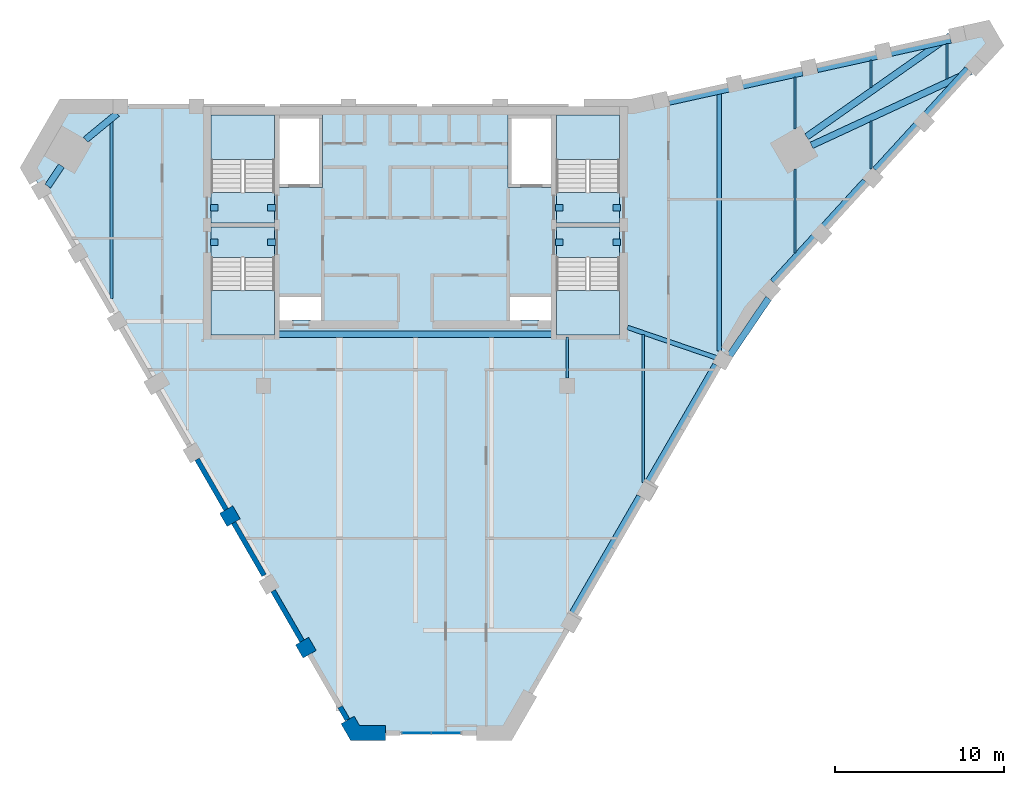
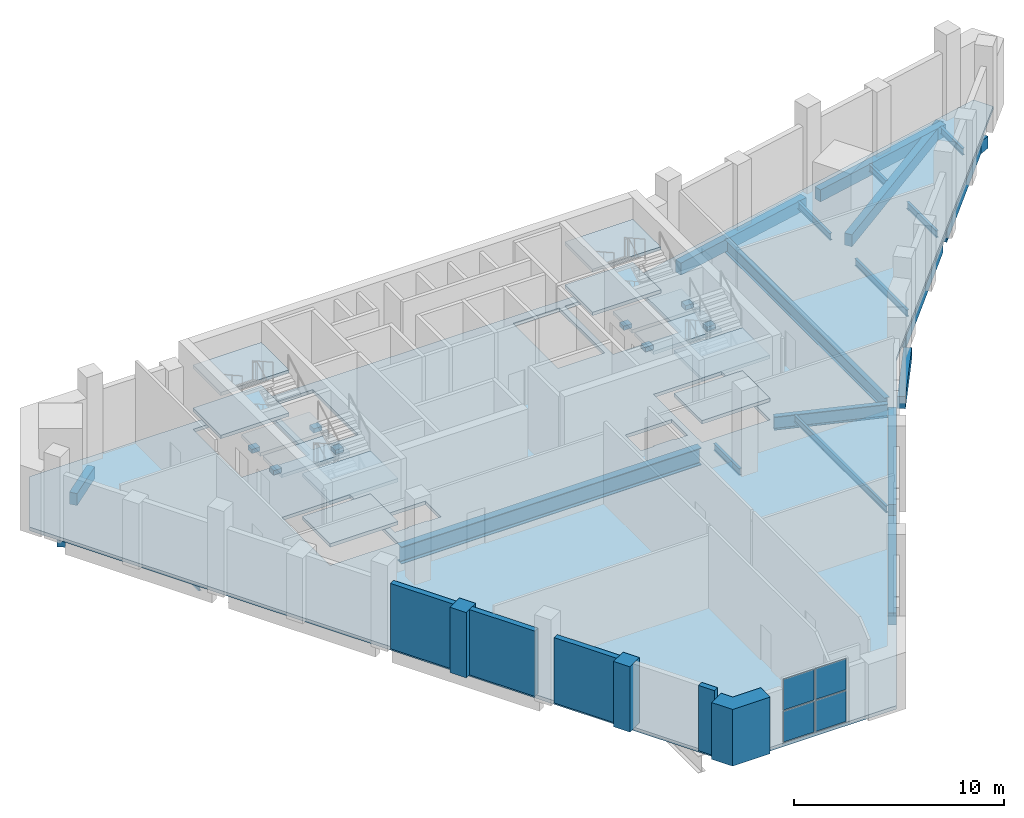
# One storey, part 3 of 9: 30 beams, 13 slabs, 7 walls, 4 plates, 5 elements without a shape of their own.
"""IFC4 building model written with IfcOpenShell, lengths in metres."""

from ifc_helpers import new_model, si_unit, direction, frame, frame_2d, origin, origin_2d, place, context, subcontext, project, spatial, polyline, rectangle, i_section, outline, extrude, material, layer, layer_set, material_profile, profile_set, type_object, element, aggregate, save


model = new_model("IFC4")

# Units and contexts
model_context = context("Model", 3, precision=1e-05, world=origin(), true_north=direction((0.0, 1.0)))
body_context = subcontext(model_context, "Body", "Model", "MODEL_VIEW")
ifc_project = project(units=[si_unit("LENGTHUNIT", "METRE"), si_unit("AREAUNIT", "SQUARE_METRE"), si_unit("VOLUMEUNIT", "CUBIC_METRE"), si_unit("PLANEANGLEUNIT", "RADIAN"), si_unit("MASSUNIT", "GRAM", prefix="KILO")], contexts=[model_context])

# Site, building, storey
site_placement = place(None, origin())
site = spatial("IfcSite", under=ifc_project, at=site_placement, CompositionType="ELEMENT")
building_placement = place(site_placement, origin())
building = spatial("IfcBuilding", under=site, at=building_placement, Name="Calabash Gate Tower", CompositionType="ELEMENT")
storey_placement = place(building_placement, frame((0.0, 0.0, 315.5)))
storey = spatial("IfcBuildingStorey", under=building, at=storey_placement, Name="L74", CompositionType="ELEMENT", Elevation=315.5)

# Beams
ifc_material_1 = material(Name="Concrete C50/60", Category="concrete")
ifc_material_profile_1 = material_profile(ifc_material_1, rectangle(XDim=0.39990234375, YDim=0.699951171875, at=origin_2d()))
ifc_profile_set_1 = profile_set([ifc_material_profile_1], Name="Concrete C50/60")
beam_type_1 = type_object("IfcBeamType", Name="Edge beam RC 400x700 Concrete C50/60", PredefinedType="BEAM", material=ifc_profile_set_1)
beam_1_placement = place(storey_placement, frame((9.260009765625, -11.069091796875, -0.550048828125), z_axis=(0.499986829629, 0.866033007568, 0.0), x_axis=(-0.866033007568, 0.499986829629, 0.0)))
element("IfcBeam", 1, at=beam_1_placement, inside=storey, type_object=beam_type_1, Name="Edge beam L74 2", PredefinedType="BEAM", context=body_context, shape_type="SweptSolid", body=[
    extrude(rectangle(XDim=0.39990234375, YDim=0.699951171875, at=origin_2d()), origin(), (0.0, 0.0, 1.0), 8.100341796875),
])
beam_2_placement = place(storey_placement, frame((13.760009765625, -3.27294921875, -0.550048828125), z_axis=(0.500104308266, 0.865965173003, 0.0), x_axis=(-0.865965173003, 0.500104308266, 0.0)))
element("IfcBeam", 2, at=beam_2_placement, inside=storey, type_object=beam_type_1, Name="Edge beam L74 3", PredefinedType="BEAM", context=body_context, shape_type="SweptSolid", body=[
    extrude(rectangle(XDim=0.39990234375, YDim=0.699951171875, at=origin_2d()), origin(), (0.0, 0.0, 1.0), 8.098388671875),
])
beam_3_placement = place(storey_placement, frame((18.623046875, 4.283935546875, -0.550048828125), z_axis=(0.561853107026, 0.827237019315, 0.0), x_axis=(-0.827237019315, 0.561853107026, 0.0)))
element("IfcBeam", 3, at=beam_3_placement, inside=storey, type_object=beam_type_1, Name="Edge beam L74 4", PredefinedType="BEAM", context=body_context, shape_type="SweptSolid", body=[
    extrude(rectangle(XDim=0.39990234375, YDim=0.699951171875, at=origin_2d()), origin(), (0.0, 0.0, 1.0), 4.107666015625),
])
beam_4_placement = place(storey_placement, frame((21.18701171875, 8.652099609375, -0.550048828125), z_axis=(0.674873802315, 0.737933161573, 0.0), x_axis=(-0.737933161573, 0.674873802315, 0.0)))
element("IfcBeam", 4, at=beam_4_placement, inside=storey, type_object=beam_type_1, Name="Edge beam L74 5", PredefinedType="BEAM", context=body_context, shape_type="SweptSolid", body=[
    extrude(rectangle(XDim=0.39990234375, YDim=0.699951171875, at=origin_2d()), origin(), (0.0, 0.0, 1.0), 8.099365234375),
])
beam_5_placement = place(storey_placement, frame((27.260009765625, 15.29296875, -0.550048828125), z_axis=(0.67486440312, 0.737941757459, 0.0), x_axis=(-0.737941757459, 0.67486440312, 0.0)))
element("IfcBeam", 5, at=beam_5_placement, inside=storey, type_object=beam_type_1, Name="Edge beam L74 6", PredefinedType="BEAM", context=body_context, shape_type="SweptSolid", body=[
    extrude(rectangle(XDim=0.39990234375, YDim=0.699951171875, at=origin_2d()), origin(), (0.0, 0.0, 1.0), 8.100830078125),
])
beam_6_placement = place(storey_placement, frame((32.924072265625, 21.1298828125, -0.550048828125), z_axis=(-0.907165927894, -0.420773073364, 0.0), x_axis=(0.420773073364, -0.907165927894, 0.0)))
element("IfcBeam", 6, at=beam_6_placement, inside=storey, type_object=beam_type_1, Name="Edge beam L74 7", PredefinedType="BEAM", context=body_context, shape_type="SweptSolid", body=[
    extrude(rectangle(XDim=0.39990234375, YDim=0.699951171875, at=origin_2d()), origin(), (0.0, 0.0, 1.0), 10.413818359375),
])
beam_7_placement = place(storey_placement, frame((23.18310546875, 17.25390625, -0.550048828125), z_axis=(0.817868224599, 0.575405567571, 0.0), x_axis=(-0.575405567571, 0.817868224599, 0.0)))
element("IfcBeam", 7, at=beam_7_placement, inside=storey, type_object=beam_type_1, Name="Edge beam L74 8", PredefinedType="BEAM", context=body_context, shape_type="SweptSolid", body=[
    extrude(rectangle(XDim=0.39990234375, YDim=0.699951171875, at=origin_2d()), origin(), (0.0, 0.0, 1.0), 10.396484375),
])
beam_8_placement = place(storey_placement, frame((31.72705078125, 23.006103515625, -0.550048828125), z_axis=(-0.976492437334, -0.215551663945, 0.0), x_axis=(0.215551663945, -0.976492437334, 0.0)))
element("IfcBeam", 8, at=beam_8_placement, inside=storey, type_object=beam_type_1, Name="Edge beam L74 9", PredefinedType="BEAM", context=body_context, shape_type="SweptSolid", body=[
    extrude(rectangle(XDim=0.39990234375, YDim=0.699951171875, at=origin_2d()), origin(), (0.0, 0.0, 1.0), 8.1005859375),
])
beam_9_placement = place(storey_placement, frame((22.93603515625, 21.06591796875, -0.550048828125), z_axis=(-0.976517152373, -0.215439669332, 0.0), x_axis=(0.215439669332, -0.976517152373, 0.0)))
element("IfcBeam", 9, at=beam_9_placement, inside=storey, type_object=beam_type_1, Name="Edge beam L74 10", PredefinedType="BEAM", context=body_context, shape_type="SweptSolid", body=[
    extrude(rectangle(XDim=0.39990234375, YDim=0.699951171875, at=origin_2d()), origin(), (0.0, 0.0, 1.0), 8.09912109375),
])
beam_10_placement = place(storey_placement, frame((-17.673095703125, 18.623046875, -0.550048828125), z_axis=(-0.77193605732, -0.635700183585, 0.0), x_axis=(0.635700183585, -0.77193605732, 0.0)))
element("IfcBeam", 10, at=beam_10_placement, inside=storey, type_object=beam_type_1, Name="Edge beam L74 11", PredefinedType="BEAM", context=body_context, shape_type="SweptSolid", body=[
    extrude(rectangle(XDim=0.39990234375, YDim=0.699951171875, at=origin_2d()), origin(), (0.0, 0.0, 1.0), 2.421142578125),
])
beam_11_placement = place(storey_placement, frame((-20.97412109375, 15.535888671875, -0.550048828125), z_axis=(-0.556208441461, -0.831042820586, 0.0), x_axis=(0.831042820586, -0.556208441461, 0.0)))
element("IfcBeam", 11, at=beam_11_placement, inside=storey, type_object=beam_type_1, Name="Edge beam L74 12", PredefinedType="BEAM", context=body_context, shape_type="SweptSolid", body=[
    extrude(rectangle(XDim=0.39990234375, YDim=0.699951171875, at=origin_2d()), origin(), (0.0, 0.0, 1.0), 1.4560546875),
])
ifc_material_2 = material(Name="Steel ASTM A992 Gr50", Category="steel")
ifc_material_profile_2 = material_profile(ifc_material_2, i_section(OverallWidth=0.1396484375, OverallDepth=0.398681640625, WebThickness=0.00634765625, FlangeThickness=0.0087890625, FilletRadius=0.01025390625, at=origin_2d()))
ifc_profile_set_2 = profile_set([ifc_material_profile_2], Name="Steel ASTM A992 Gr50")
beam_type_2 = type_object("IfcBeamType", Name="Floor beam W16x26 ASTM A992 Gr50", PredefinedType="BEAM", material=ifc_profile_set_2)
beam_12_placement = place(storey_placement, frame((9.0, 2.949951171875, -0.39892578125), z_axis=(0.0, 1.0, 0.0), x_axis=(-1.0, 0.0, 0.0)))
element("IfcBeam", 12, at=beam_12_placement, inside=storey, type_object=beam_type_2, Name="Floor beam L74 9", PredefinedType="BEAM", context=body_context, shape_type="SweptSolid", body=[
    extrude(i_section(OverallWidth=0.1396484375, OverallDepth=0.398681640625, WebThickness=0.00634765625, FlangeThickness=0.0087890625, FilletRadius=0.01025390625, at=origin_2d()), origin(), (0.0, 0.0, 1.0), 2.453125),
])
beam_13_placement = place(storey_placement, frame((13.5, -3.237060546875, -0.39892578125), z_axis=(0.0, 1.0, 0.0), x_axis=(-1.0, 0.0, 0.0)))
element("IfcBeam", 13, at=beam_13_placement, inside=storey, type_object=beam_type_2, Name="Floor beam L74 10", PredefinedType="BEAM", context=body_context, shape_type="SweptSolid", body=[
    extrude(i_section(OverallWidth=0.1396484375, OverallDepth=0.398681640625, WebThickness=0.00634765625, FlangeThickness=0.0087890625, FilletRadius=0.01025390625, at=origin_2d()), origin(), (0.0, 0.0, 1.0), 8.76806640625),
])
beam_14_placement = place(storey_placement, frame((22.5, 10.3720703125, -0.39892578125), z_axis=(0.0, 1.0, 0.0), x_axis=(-1.0, 0.0, 0.0)))
element("IfcBeam", 14, at=beam_14_placement, inside=storey, type_object=beam_type_2, Name="Floor beam L74 12", PredefinedType="BEAM", context=body_context, shape_type="SweptSolid", body=[
    extrude(i_section(OverallWidth=0.1396484375, OverallDepth=0.398681640625, WebThickness=0.00634765625, FlangeThickness=0.0087890625, FilletRadius=0.01025390625, at=origin_2d()), origin(), (0.0, 0.0, 1.0), 4.969970703125),
])
beam_15_placement = place(storey_placement, frame((22.5, 17.702880859375, -0.39892578125), z_axis=(0.0, 1.0, 0.0), x_axis=(-1.0, 0.0, 0.0)))
element("IfcBeam", 15, at=beam_15_placement, inside=storey, type_object=beam_type_2, Name="Floor beam L74 13", PredefinedType="BEAM", context=body_context, shape_type="SweptSolid", body=[
    extrude(i_section(OverallWidth=0.1396484375, OverallDepth=0.398681640625, WebThickness=0.00634765625, FlangeThickness=0.0087890625, FilletRadius=0.01025390625, at=origin_2d()), origin(), (0.0, 0.0, 1.0), 3.09423828125),
])
beam_16_placement = place(storey_placement, frame((27.0, 15.35693359375, -0.39892578125), z_axis=(0.0, 1.0, 0.0), x_axis=(-1.0, 0.0, 0.0)))
element("IfcBeam", 16, at=beam_16_placement, inside=storey, type_object=beam_type_2, Name="Floor beam L74 14", PredefinedType="BEAM", context=body_context, shape_type="SweptSolid", body=[
    extrude(i_section(OverallWidth=0.1396484375, OverallDepth=0.398681640625, WebThickness=0.00634765625, FlangeThickness=0.0087890625, FilletRadius=0.01025390625, at=origin_2d()), origin(), (0.0, 0.0, 1.0), 2.8271484375),
])
beam_17_placement = place(storey_placement, frame((27.0, 20.172119140625, -0.39892578125), z_axis=(0.0, 1.0, 0.0), x_axis=(-1.0, 0.0, 0.0)))
element("IfcBeam", 17, at=beam_17_placement, inside=storey, type_object=beam_type_2, Name="Floor beam L74 15", PredefinedType="BEAM", context=body_context, shape_type="SweptSolid", body=[
    extrude(i_section(OverallWidth=0.1396484375, OverallDepth=0.398681640625, WebThickness=0.00634765625, FlangeThickness=0.0087890625, FilletRadius=0.01025390625, at=origin_2d()), origin(), (0.0, 0.0, 1.0), 1.617919921875),
])
beam_18_placement = place(storey_placement, frame((31.5, 20.66796875, -0.39892578125), z_axis=(0.0, 1.0, 0.0), x_axis=(-1.0, 0.0, 0.0)))
element("IfcBeam", 18, at=beam_18_placement, inside=storey, type_object=beam_type_2, Name="Floor beam L74 16", PredefinedType="BEAM", context=body_context, shape_type="SweptSolid", body=[
    extrude(i_section(OverallWidth=0.1396484375, OverallDepth=0.398681640625, WebThickness=0.00634765625, FlangeThickness=0.0087890625, FilletRadius=0.01025390625, at=origin_2d()), origin(), (0.0, 0.0, 1.0), 2.114990234375),
])
ifc_material_3 = material(Name="Steel ASTM A992 Gr50", Category="steel")
ifc_material_profile_3 = material_profile(ifc_material_3, i_section(OverallWidth=0.166015625, OverallDepth=0.5283203125, WebThickness=0.009765625, FlangeThickness=0.013671875, FilletRadius=0.0126953125, at=origin_2d()))
ifc_profile_set_3 = profile_set([ifc_material_profile_3], Name="Steel ASTM A992 Gr50")
beam_type_3 = type_object("IfcBeamType", Name="Floor beam W21x50 ASTM A992 Gr50", PredefinedType="BEAM", material=ifc_profile_set_3)
beam_19_placement = place(storey_placement, frame((-18.0, 7.679931640625, -0.464111328125), z_axis=(0.0, 1.0, 0.0), x_axis=(-1.0, 0.0, 0.0)))
element("IfcBeam", 19, at=beam_19_placement, inside=storey, type_object=beam_type_3, Name="Floor beam L74 1", PredefinedType="BEAM", context=body_context, shape_type="SweptSolid", body=[
    extrude(i_section(OverallWidth=0.166015625, OverallDepth=0.5283203125, WebThickness=0.009765625, FlangeThickness=0.013671875, FilletRadius=0.0126953125, at=origin_2d()), origin(), (0.0, 0.0, 1.0), 10.43701171875),
])
ifc_material_4 = material(Name="Steel ASTM A992 Gr50", Category="steel")
ifc_material_profile_4 = material_profile(ifc_material_4, i_section(OverallWidth=0.2666015625, OverallDepth=0.7568359375, WebThickness=0.013916015625, FlangeThickness=0.019287109375, FilletRadius=0.0166015625, at=origin_2d()))
ifc_profile_set_4 = profile_set([ifc_material_profile_4], Name="Steel ASTM A992 Gr50")
beam_type_4 = type_object("IfcBeamType", Name="Floor beam W30x108 ASTM A992 Gr50", PredefinedType="BEAM", material=ifc_profile_set_4)
beam_20_placement = place(storey_placement, frame((18.0, 4.547119140625, -0.577880859375), z_axis=(0.0, 1.0, 0.0), x_axis=(-1.0, 0.0, 0.0)))
element("IfcBeam", 20, at=beam_20_placement, inside=storey, type_object=beam_type_4, Name="Floor beam L74 11", PredefinedType="BEAM", context=body_context, shape_type="SweptSolid", body=[
    extrude(i_section(OverallWidth=0.2666015625, OverallDepth=0.7568359375, WebThickness=0.013916015625, FlangeThickness=0.019287109375, FilletRadius=0.0166015625, at=origin_2d()), origin(), (0.0, 0.0, 1.0), 15.2568359375),
])
ifc_material_5 = material(Name="Steel ASTM A992 Gr50", Category="steel")
ifc_material_profile_5 = material_profile(ifc_material_5, i_section(OverallWidth=0.2666015625, OverallDepth=0.77978515625, WebThickness=0.0166015625, FlangeThickness=0.030029296875, FilletRadius=0.0166015625, at=origin_2d()))
ifc_profile_set_5 = profile_set([ifc_material_profile_5], Name="Steel ASTM A992 Gr50")
beam_type_5 = type_object("IfcBeamType", Name="Girder W30x148 ASTM A992 Gr50", PredefinedType="BEAM", material=ifc_profile_set_5)
beam_21_placement = place(storey_placement, frame((17.803955078125, 4.16796875, -0.590087890625), z_axis=(-0.946191727355, 0.323606574539, 0.0), x_axis=(-0.323606574539, -0.946191727355, 0.0)))
element("IfcBeam", 21, at=beam_21_placement, inside=storey, type_object=beam_type_5, Name="Girder L74 3", PredefinedType="BEAM", context=body_context, shape_type="SweptSolid", body=[
    extrude(i_section(OverallWidth=0.2666015625, OverallDepth=0.77978515625, WebThickness=0.0166015625, FlangeThickness=0.030029296875, FilletRadius=0.0166015625, at=origin_2d()), origin(), (0.0, 0.0, 1.0), 5.531494140625),
])
ifc_material_6 = material(Name="Steel ASTM A992 Gr50", Category="steel")
ifc_material_profile_6 = material_profile(ifc_material_6, i_section(OverallWidth=0.4013671875, OverallDepth=1.000732421875, WebThickness=0.01904296875, FlangeThickness=0.0361328125, FilletRadius=0.030029296875, at=origin_2d()))
ifc_profile_set_6 = profile_set([ifc_material_profile_6], Name="Steel ASTM A992 Gr50")
beam_type_6 = type_object("IfcBeamType", Name="Girder W40x249 ASTM A992 Gr50", PredefinedType="BEAM", material=ifc_profile_set_6)
beam_22_placement = place(storey_placement, frame((-8.25, 5.552978515625, -0.699951171875), z_axis=(1.0, 0.0, 0.0), x_axis=(0.0, 1.0, 0.0)))
element("IfcBeam", 22, at=beam_22_placement, inside=storey, type_object=beam_type_6, Name="Girder L74 1", PredefinedType="BEAM", context=body_context, shape_type="SweptSolid", body=[
    extrude(i_section(OverallWidth=0.4013671875, OverallDepth=1.000732421875, WebThickness=0.01904296875, FlangeThickness=0.0361328125, FilletRadius=0.030029296875, at=origin_2d()), origin(), (0.0, 0.0, 1.0), 16.5),
])
ifc_material_7 = material(Name="Concrete C60/75", Category="concrete")
ifc_material_profile_7 = material_profile(ifc_material_7, rectangle(XDim=0.39990234375, YDim=0.25, at=origin_2d()))
ifc_profile_set_7 = profile_set([ifc_material_profile_7], Name="Concrete C60/75")
beam_type_7 = type_object("IfcBeamType", Name="Landing corbel RC 400x250 Concrete C60/75", PredefinedType="BEAM", material=ifc_profile_set_7)
for number, where, z_axis, x_axis, name in (
    (23, (-12.14990234375, 13.052978515625, 2.174072265625), (1.0, 0.0, 0.0), (0.0, 1.0, 0.0), "Landing corbel ST1-L74/L2 west"),
    (24, (-8.300048828125, 13.052978515625, 2.174072265625), (-1.0, 0.0, 0.0), (0.0, -1.0, 0.0), "Landing corbel ST1-L74/L2 east"),
    (25, (-12.14990234375, 11.0029296875, 2.174072265625), (1.0, 0.0, 0.0), (0.0, 1.0, 0.0), "Landing corbel ST2-L74/L2 west"),
    (26, (-8.300048828125, 11.0029296875, 2.174072265625), (-1.0, 0.0, 0.0), (0.0, -1.0, 0.0), "Landing corbel ST2-L74/L2 east"),
    (27, (8.300048828125, 13.052978515625, 2.174072265625), (1.0, 0.0, 0.0), (0.0, 1.0, 0.0), "Landing corbel ST3-L74/L2 west"),
    (28, (12.14990234375, 13.052978515625, 2.174072265625), (-1.0, 0.0, 0.0), (0.0, -1.0, 0.0), "Landing corbel ST3-L74/L2 east"),
    (29, (8.300048828125, 11.0029296875, 2.174072265625), (1.0, 0.0, 0.0), (0.0, 1.0, 0.0), "Landing corbel ST4-L74/L2 west"),
    (30, (12.14990234375, 11.0029296875, 2.174072265625), (-1.0, 0.0, 0.0), (0.0, -1.0, 0.0), "Landing corbel ST4-L74/L2 east"),
):
    element("IfcBeam", number, at=place(storey_placement, frame(where, z_axis=z_axis, x_axis=x_axis)), inside=storey, type_object=beam_type_7, Name=name, PredefinedType="BEAM", context=body_context, shape_type="SweptSolid", body=[
        extrude(rectangle(XDim=0.39990234375, YDim=0.25, at=origin_2d()), origin(), (0.0, 0.0, 1.0), 0.449951171875),
    ])

# Curtain wall, plates
ifc_material_8 = material(Name="Anodised aluminium frame, bronze finish, clear laminated impact-rated glazing", Category="aluminium")
curtain_wall_type = type_object("IfcCurtainWallType", Name="Curtain wall CWV crown wall", PredefinedType="NOTDEFINED", material=ifc_material_8)
curtain_wall_placement = place(storey_placement, origin())
curtain_wall = element("IfcCurtainWall", 31, at=curtain_wall_placement, inside=storey, type_object=curtain_wall_type, Name="Curtain wall CWV L74 crown1.1", PredefinedType="NOTDEFINED")
ifc_material_9 = material(Name="Clear laminated impact-rated glazing", Category="glass")
ifc_layer_1 = layer(ifc_material_9, 0.0439453125)
ifc_layer_set_1 = layer_set([ifc_layer_1], Name="Glass panel CWV 44")
plate_type = type_object("IfcPlateType", Name="Glass panel CWV 44", PredefinedType="CURTAIN_PANEL", material=ifc_layer_set_1)
plate_1_placement = place(storey_placement, frame((0.0546875, -18.080810546875, 0.074951171875), z_axis=(0.0, 0.0, 1.0), x_axis=(1.0, 0.0, 0.0)))
plate_1 = element("IfcPlate", 32, at=plate_1_placement, type_object=plate_type, Name="CWV panel 1.1", PredefinedType="CURTAIN_PANEL", context=body_context, shape_type="SweptSolid", body=[
    extrude(rectangle(XDim=1.6875, YDim=0.0439453125, at=origin_2d()), origin(), (0.0, 0.0, 1.0), 1.78759765625),
])
plate_2_placement = place(storey_placement, frame((0.0546875, -18.080810546875, 1.9375), z_axis=(0.0, 0.0, 1.0), x_axis=(1.0, 0.0, 0.0)))
plate_2 = element("IfcPlate", 33, at=plate_2_placement, type_object=plate_type, Name="CWV panel 1.2", PredefinedType="CURTAIN_PANEL", context=body_context, shape_type="SweptSolid", body=[
    extrude(rectangle(XDim=1.6875, YDim=0.0439453125, at=origin_2d()), origin(), (0.0, 0.0, 1.0), 1.78759765625),
])
plate_3_placement = place(storey_placement, frame((1.817138671875, -18.080810546875, 0.074951171875), z_axis=(0.0, 0.0, 1.0), x_axis=(1.0, 0.0, 0.0)))
plate_3 = element("IfcPlate", 34, at=plate_3_placement, type_object=plate_type, Name="CWV panel 2.1", PredefinedType="CURTAIN_PANEL", context=body_context, shape_type="SweptSolid", body=[
    extrude(rectangle(XDim=1.6875, YDim=0.0439453125, at=origin_2d()), origin(), (0.0, 0.0, 1.0), 1.78759765625),
])
plate_4_placement = place(storey_placement, frame((1.817138671875, -18.080810546875, 1.9375), z_axis=(0.0, 0.0, 1.0), x_axis=(1.0, 0.0, 0.0)))
plate_4 = element("IfcPlate", 35, at=plate_4_placement, type_object=plate_type, Name="CWV panel 2.2", PredefinedType="CURTAIN_PANEL", context=body_context, shape_type="SweptSolid", body=[
    extrude(rectangle(XDim=1.6875, YDim=0.0439453125, at=origin_2d()), origin(), (0.0, 0.0, 1.0), 1.78759765625),
])
aggregate(curtain_wall, [plate_1, plate_2, plate_3, plate_4])

# Slab
ifc_material_10 = material(Name="Concrete C40/50", Category="concrete")
ifc_layer_2 = layer(ifc_material_10, 0.199951171875)
ifc_layer_set_2 = layer_set([ifc_layer_2], Name="Reinforced concrete floor slab 200 Concrete C40/50")
slab_type_1 = type_object("IfcSlabType", Name="Reinforced concrete floor slab 200 Concrete C40/50", PredefinedType="FLOOR", material=ifc_layer_set_2)
slab_1_placement = place(storey_placement, frame((0.0, 0.0, -0.199951171875)))
element("IfcSlab", 36, at=slab_1_placement, inside=storey, type_object=slab_type_1, Name="Floor slab L74", PredefinedType="FLOOR", context=body_context, shape_type="SweptSolid", body=[
    extrude(outline(polyline([(-22.9111328125, 15.41796875), (-20.812744140625, 19.052490234375), (12.88134765625, 19.052490234375), (33.783935546875, 23.664794921875), (34.326904296875, 22.724365234375), (19.88134765625, 6.92822265625), (5.442626953125, -18.080810546875), (-3.57080078125, -18.080810546875), (-22.9111328125, 15.41796875)]), holes=[polyline([(-8.050048828125, 18.552490234375), (-8.050048828125, 14.252685546875), (-5.5, 14.252685546875), (-5.5, 18.552490234375), (-8.050048828125, 18.552490234375)]), polyline([(8.050048828125, 18.552490234375), (5.5, 18.552490234375), (5.5, 14.252685546875), (8.050048828125, 14.252685546875), (8.050048828125, 18.552490234375)]), polyline([(-8.35009765625, 18.552490234375), (-12.10009765625, 18.552490234375), (-12.10009765625, 13.95263671875), (-8.35009765625, 13.95263671875), (-8.35009765625, 18.552490234375)]), polyline([(-12.10009765625, 10.1025390625), (-12.10009765625, 5.502685546875), (-8.35009765625, 5.502685546875), (-8.35009765625, 10.1025390625), (-12.10009765625, 10.1025390625)]), polyline([(8.35009765625, 13.95263671875), (12.10009765625, 13.95263671875), (12.10009765625, 18.552490234375), (8.35009765625, 18.552490234375), (8.35009765625, 13.95263671875)]), polyline([(12.10009765625, 5.502685546875), (12.10009765625, 10.1025390625), (8.35009765625, 10.1025390625), (8.35009765625, 5.502685546875), (12.10009765625, 5.502685546875)]), polyline([(-7.324951171875, 6.3525390625), (-7.324951171875, 6.402587890625), (-6.22509765625, 6.402587890625), (-6.22509765625, 6.3525390625), (-5.5, 6.3525390625), (-5.5, 7.8525390625), (-8.050048828125, 7.8525390625), (-8.050048828125, 6.3525390625), (-7.324951171875, 6.3525390625)]), polyline([(5.5, 6.3525390625), (6.22509765625, 6.3525390625), (6.22509765625, 6.402587890625), (7.324951171875, 6.402587890625), (7.324951171875, 6.3525390625), (8.050048828125, 6.3525390625), (8.050048828125, 7.8525390625), (5.5, 7.8525390625), (5.5, 6.3525390625)])]), origin(), (0.0, 0.0, 1.0), 0.199951171875),
])

# Stair, slabs
ifc_material_11 = material(Name="Concrete C40/50", Category="concrete")
stair_type = type_object("IfcStairType", Name="Exit stair 32 risers of 156.2 mm", PredefinedType="HALF_TURN_STAIR", material=ifc_material_11)
stair_1_placement = place(storey_placement, origin())
stair_1 = element("IfcStair", 37, at=stair_1_placement, inside=storey, type_object=stair_type, Name="L74 Exit stair ST1", PredefinedType="HALF_TURN_STAIR")
ifc_material_12 = material(Name="Concrete C40/50", Category="concrete")
ifc_layer_3 = layer(ifc_material_12, 0.199951171875)
ifc_layer_set_3 = layer_set([ifc_layer_3], Name="Stair landing SL200")
slab_type_2 = type_object("IfcSlabType", Name="Stair landing SL200", PredefinedType="LANDING", material=ifc_layer_set_3)
slab_2_placement = place(storey_placement, frame((0.0, 0.0, 1.050048828125)))
slab_2 = element("IfcSlab", 38, at=slab_2_placement, type_object=slab_type_2, Name="ST1 landing 1", PredefinedType="LANDING", context=body_context, shape_type="SweptSolid", body=[
    extrude(outline(polyline([(-8.35009765625, 15.905517578125), (-8.35009765625, 18.552490234375), (-12.10009765625, 18.552490234375), (-12.10009765625, 15.905517578125), (-8.35009765625, 15.905517578125)])), origin(), (0.0, 0.0, 1.0), 0.199951171875),
])
slab_3_placement = place(storey_placement, frame((0.0, 0.0, 2.300048828125)))
slab_3 = element("IfcSlab", 39, at=slab_3_placement, type_object=slab_type_2, Name="ST1 landing 2", PredefinedType="LANDING", context=body_context, shape_type="SweptSolid", body=[
    extrude(outline(polyline([(-8.35009765625, 12.152587890625), (-8.35009765625, 13.95263671875), (-12.10009765625, 13.95263671875), (-12.10009765625, 12.152587890625), (-8.35009765625, 12.152587890625)])), origin(), (0.0, 0.0, 1.0), 0.199951171875),
])
slab_4_placement = place(storey_placement, frame((0.0, 0.0, 3.550048828125)))
slab_4 = element("IfcSlab", 40, at=slab_4_placement, type_object=slab_type_2, Name="ST1 landing 3", PredefinedType="LANDING", context=body_context, shape_type="SweptSolid", body=[
    extrude(outline(polyline([(-8.35009765625, 15.905517578125), (-8.35009765625, 18.552490234375), (-12.10009765625, 18.552490234375), (-12.10009765625, 15.905517578125), (-8.35009765625, 15.905517578125)])), origin(), (0.0, 0.0, 1.0), 0.199951171875),
])
aggregate(stair_1, [slab_2, slab_3, slab_4])

stair_2_placement = place(storey_placement, origin())
stair_2 = element("IfcStair", 41, at=stair_2_placement, inside=storey, type_object=stair_type, Name="L74 Exit stair ST2", PredefinedType="HALF_TURN_STAIR")
slab_5_placement = place(storey_placement, frame((0.0, 0.0, 1.050048828125)))
slab_5 = element("IfcSlab", 42, at=slab_5_placement, type_object=slab_type_2, Name="ST2 landing 1", PredefinedType="LANDING", context=body_context, shape_type="SweptSolid", body=[
    extrude(outline(polyline([(-12.10009765625, 8.149658203125), (-12.10009765625, 5.502685546875), (-8.35009765625, 5.502685546875), (-8.35009765625, 8.149658203125), (-12.10009765625, 8.149658203125)])), origin(), (0.0, 0.0, 1.0), 0.199951171875),
])
slab_6_placement = place(storey_placement, frame((0.0, 0.0, 2.300048828125)))
slab_6 = element("IfcSlab", 43, at=slab_6_placement, type_object=slab_type_2, Name="ST2 landing 2", PredefinedType="LANDING", context=body_context, shape_type="SweptSolid", body=[
    extrude(outline(polyline([(-12.10009765625, 11.902587890625), (-12.10009765625, 10.1025390625), (-8.35009765625, 10.1025390625), (-8.35009765625, 11.902587890625), (-12.10009765625, 11.902587890625)])), origin(), (0.0, 0.0, 1.0), 0.199951171875),
])
slab_7_placement = place(storey_placement, frame((0.0, 0.0, 3.550048828125)))
slab_7 = element("IfcSlab", 44, at=slab_7_placement, type_object=slab_type_2, Name="ST2 landing 3", PredefinedType="LANDING", context=body_context, shape_type="SweptSolid", body=[
    extrude(outline(polyline([(-12.10009765625, 8.149658203125), (-12.10009765625, 5.502685546875), (-8.35009765625, 5.502685546875), (-8.35009765625, 8.149658203125), (-12.10009765625, 8.149658203125)])), origin(), (0.0, 0.0, 1.0), 0.199951171875),
])
aggregate(stair_2, [slab_5, slab_6, slab_7])

stair_3_placement = place(storey_placement, origin())
stair_3 = element("IfcStair", 45, at=stair_3_placement, inside=storey, type_object=stair_type, Name="L74 Exit stair ST3", PredefinedType="HALF_TURN_STAIR")
slab_8_placement = place(storey_placement, frame((0.0, 0.0, 1.050048828125)))
slab_8 = element("IfcSlab", 46, at=slab_8_placement, type_object=slab_type_2, Name="ST3 landing 1", PredefinedType="LANDING", context=body_context, shape_type="SweptSolid", body=[
    extrude(outline(polyline([(12.10009765625, 15.905517578125), (12.10009765625, 18.552490234375), (8.35009765625, 18.552490234375), (8.35009765625, 15.905517578125), (12.10009765625, 15.905517578125)])), origin(), (0.0, 0.0, 1.0), 0.199951171875),
])
slab_9_placement = place(storey_placement, frame((0.0, 0.0, 2.300048828125)))
slab_9 = element("IfcSlab", 47, at=slab_9_placement, type_object=slab_type_2, Name="ST3 landing 2", PredefinedType="LANDING", context=body_context, shape_type="SweptSolid", body=[
    extrude(outline(polyline([(12.10009765625, 12.152587890625), (12.10009765625, 13.95263671875), (8.35009765625, 13.95263671875), (8.35009765625, 12.152587890625), (12.10009765625, 12.152587890625)])), origin(), (0.0, 0.0, 1.0), 0.199951171875),
])
slab_10_placement = place(storey_placement, frame((0.0, 0.0, 3.550048828125)))
slab_10 = element("IfcSlab", 48, at=slab_10_placement, type_object=slab_type_2, Name="ST3 landing 3", PredefinedType="LANDING", context=body_context, shape_type="SweptSolid", body=[
    extrude(outline(polyline([(12.10009765625, 15.905517578125), (12.10009765625, 18.552490234375), (8.35009765625, 18.552490234375), (8.35009765625, 15.905517578125), (12.10009765625, 15.905517578125)])), origin(), (0.0, 0.0, 1.0), 0.199951171875),
])
aggregate(stair_3, [slab_8, slab_9, slab_10])

stair_4_placement = place(storey_placement, origin())
stair_4 = element("IfcStair", 49, at=stair_4_placement, inside=storey, type_object=stair_type, Name="L74 Exit stair ST4", PredefinedType="HALF_TURN_STAIR")
slab_11_placement = place(storey_placement, frame((0.0, 0.0, 1.050048828125)))
slab_11 = element("IfcSlab", 50, at=slab_11_placement, type_object=slab_type_2, Name="ST4 landing 1", PredefinedType="LANDING", context=body_context, shape_type="SweptSolid", body=[
    extrude(outline(polyline([(8.35009765625, 8.149658203125), (8.35009765625, 5.502685546875), (12.10009765625, 5.502685546875), (12.10009765625, 8.149658203125), (8.35009765625, 8.149658203125)])), origin(), (0.0, 0.0, 1.0), 0.199951171875),
])
slab_12_placement = place(storey_placement, frame((0.0, 0.0, 2.300048828125)))
slab_12 = element("IfcSlab", 51, at=slab_12_placement, type_object=slab_type_2, Name="ST4 landing 2", PredefinedType="LANDING", context=body_context, shape_type="SweptSolid", body=[
    extrude(outline(polyline([(8.35009765625, 11.902587890625), (8.35009765625, 10.1025390625), (12.10009765625, 10.1025390625), (12.10009765625, 11.902587890625), (8.35009765625, 11.902587890625)])), origin(), (0.0, 0.0, 1.0), 0.199951171875),
])
slab_13_placement = place(storey_placement, frame((0.0, 0.0, 3.550048828125)))
slab_13 = element("IfcSlab", 52, at=slab_13_placement, type_object=slab_type_2, Name="ST4 landing 3", PredefinedType="LANDING", context=body_context, shape_type="SweptSolid", body=[
    extrude(outline(polyline([(8.35009765625, 8.149658203125), (8.35009765625, 5.502685546875), (12.10009765625, 5.502685546875), (12.10009765625, 8.149658203125), (8.35009765625, 8.149658203125)])), origin(), (0.0, 0.0, 1.0), 0.199951171875),
])
aggregate(stair_4, [slab_11, slab_12, slab_13])

# Walls
ifc_material_13 = material(Name="Terracotta brick masonry, exposed face", Category="masonry")
ifc_layer_4 = layer(ifc_material_13, 0.89990234375)
ifc_layer_set_4 = layer_set([ifc_layer_4], Name="Brick end wall 900")
wall_type_1 = type_object("IfcWallType", Name="Brick end wall 900", PredefinedType="SOLIDWALL", material=ifc_layer_set_4)
for number, where, z_axis, x_axis, name in (
    (53, (-11.216064453125, -4.8388671875, 0.0), (0.0, 0.0, 1.0), (0.500223362819, -0.865896406789, 0.0), "Brick pier L74 crown0.5"),
    (54, (-6.716064453125, -12.633056640625, 0.0), (0.0, 0.0, 1.0), (0.500223362819, -0.865896406789, 0.0), "Brick pier L74 crown0.7"),
):
    element("IfcWall", number, at=place(storey_placement, frame(where, z_axis=z_axis, x_axis=x_axis)), inside=storey, type_object=wall_type_1, Name=name, PredefinedType="SOLIDWALL", context=body_context, shape_type="SweptSolid", body=[
        extrude(rectangle(XDim=0.89990234375, YDim=0.89990234375, at=frame_2d((0.449951171875, 0.0))), origin(), (0.0, 0.0, 1.0), 3.800048828125),
    ])
wall_1_placement = place(storey_placement, origin())
element("IfcWall", 55, at=wall_1_placement, inside=storey, type_object=wall_type_1, Name="Brick end wall L74 1", PredefinedType="SOLIDWALL", context=body_context, shape_type="SweptSolid", body=[
    extrude(outline(polyline([(-3.626220703125, -17.08447265625), (-4.40576171875, -17.53466796875), (-3.83056640625, -18.53076171875), (-1.76416015625, -18.53076171875), (-1.76416015625, -17.630859375), (-3.310791015625, -17.630859375), (-3.626220703125, -17.08447265625)])), origin(), (0.0, 0.0, 1.0), 3.29736328125),
])
ifc_material_14 = material(Name="Terracotta louvre blades in an aluminium frame", Category="masonry")
ifc_layer_5 = layer(ifc_material_14, 0.300048828125)
ifc_layer_set_5 = layer_set([ifc_layer_5], Name="Terracotta louvre wall 300")
wall_type_2 = type_object("IfcWallType", Name="Terracotta louvre wall 300", PredefinedType="ELEMENTEDWALL", material=ifc_layer_set_5)
wall_2_placement = place(storey_placement, origin())
element("IfcWall", 56, at=wall_2_placement, inside=storey, type_object=wall_type_2, Name="LOUVRE L74 crown0.5", PredefinedType="ELEMENTEDWALL", context=body_context, shape_type="SweptSolid", body=[
    extrude(outline(polyline([(-11.086181640625, -4.763671875), (-12.80712890625, -1.78271484375), (-13.06689453125, -1.932861328125), (-11.345947265625, -4.913818359375), (-11.086181640625, -4.763671875)])), origin(), (0.0, 0.0, 1.0), 3.800048828125),
])
wall_3_placement = place(storey_placement, frame((-10.765869140625, -5.6181640625, 0.0), z_axis=(0.0, 0.0, 1.0), x_axis=(0.499961193289, -0.866047807691, 0.0)))
element("IfcWall", 57, at=wall_3_placement, inside=storey, type_object=wall_type_2, Name="LOUVRE L74 crown0.6", PredefinedType="ELEMENTEDWALL", context=body_context, shape_type="SweptSolid", body=[
    extrude(rectangle(XDim=3.599853515625, YDim=0.300048828125, at=frame_2d((1.7998046875, 0.0))), origin(), (0.0, 0.0, 1.0), 3.800048828125),
])
wall_4_placement = place(storey_placement, origin())
element("IfcWall", 58, at=wall_4_placement, inside=storey, type_object=wall_type_2, Name="LOUVRE L74 crown0.7", PredefinedType="ELEMENTEDWALL", context=body_context, shape_type="SweptSolid", body=[
    extrude(outline(polyline([(-6.586181640625, -12.55810546875), (-8.306884765625, -9.57763671875), (-8.566650390625, -9.7275390625), (-6.845947265625, -12.7080078125), (-6.586181640625, -12.55810546875)])), origin(), (0.0, 0.0, 1.0), 3.800048828125),
])
wall_5_placement = place(storey_placement, frame((-4.026123046875, -17.291748046875, 0.0), z_axis=(0.0, 0.0, 1.0), x_axis=(-0.500068485402, 0.865985860108, 0.0)))
element("IfcWall", 59, at=wall_5_placement, inside=storey, type_object=wall_type_2, Name="LOUVRE L74 edge crown0.c2", PredefinedType="ELEMENTEDWALL", context=body_context, shape_type="SweptSolid", body=[
    extrude(rectangle(XDim=0.87548828125, YDim=0.300048828125, at=frame_2d((0.437744140625, 0.0))), origin(), (0.0, 0.0, 1.0), 3.800048828125),
])

save(model, "model.ifc")
